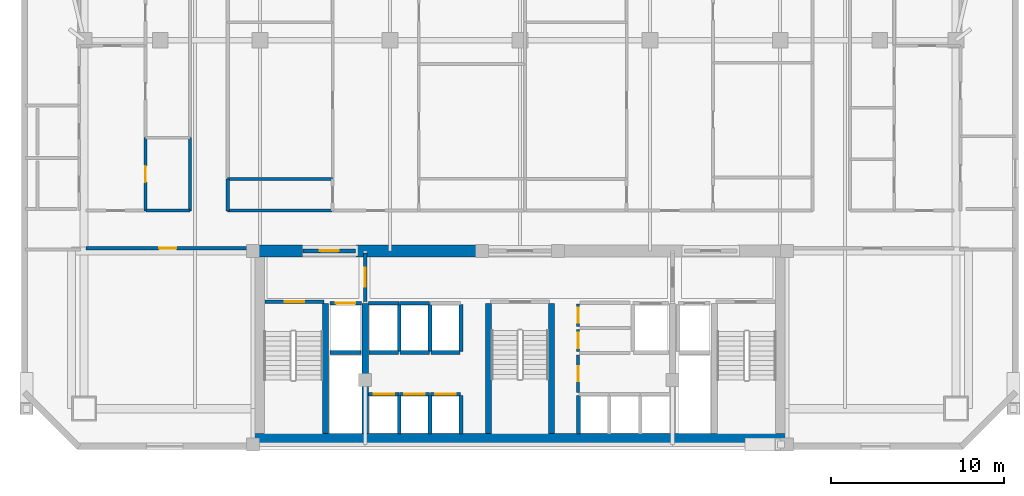
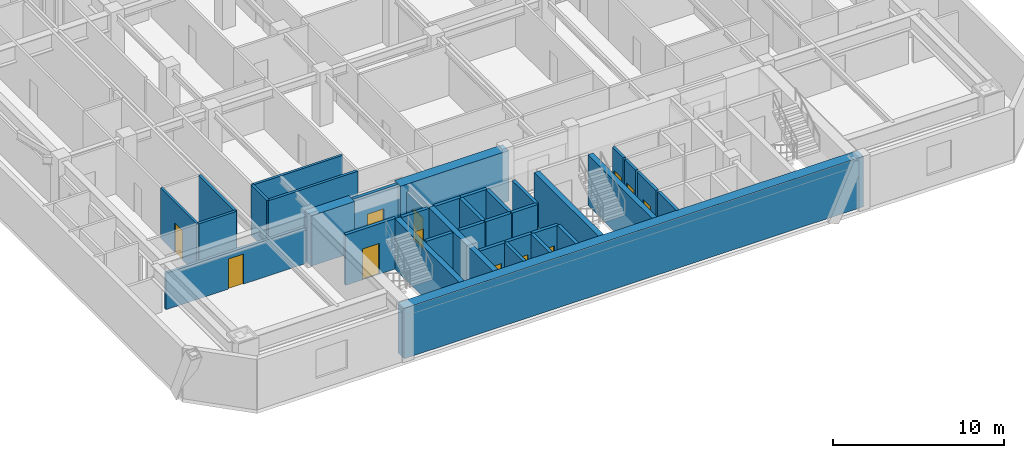
# One storey, part 3 of 10: 37 walls, 12 doors, 12 openings.
"""IFC4 building model written with IfcOpenShell, lengths in metres."""

from ifc_helpers import new_model, si_unit, direction, frame, frame_2d, origin, place, context, subcontext, project, spatial, rectangle, extrude, material, layer, layer_set, type_object, element, fill, save


model = new_model("IFC4")

# Units and contexts
model_context = context("Model", 3, precision=1e-05, world=origin(), true_north=direction((0.0, 1.0)))
body_context = subcontext(model_context, "Body", "Model", "MODEL_VIEW")
ifc_project = project(units=[si_unit("LENGTHUNIT", "METRE"), si_unit("AREAUNIT", "SQUARE_METRE"), si_unit("VOLUMEUNIT", "CUBIC_METRE"), si_unit("PLANEANGLEUNIT", "RADIAN"), si_unit("MASSUNIT", "GRAM", prefix="KILO")], contexts=[model_context])

# Site, building, storey
site_placement = place(None, origin())
site = spatial("IfcSite", under=ifc_project, at=site_placement, CompositionType="ELEMENT")
building_placement = place(site_placement, origin())
building = spatial("IfcBuilding", under=site, at=building_placement, Name="Ventersveld Concourse Tower", CompositionType="ELEMENT")
storey_placement = place(building_placement, frame((0.0, 0.0, 88.75)))
storey = spatial("IfcBuildingStorey", under=building, at=storey_placement, Name="L21", CompositionType="ELEMENT", Elevation=88.75)

# Walls
ifc_material_1 = material(Name="Concrete C60/75", Category="concrete")
ifc_layer_1 = layer(ifc_material_1, 0.35009765625)
ifc_layer_set_1 = layer_set([ifc_layer_1], Name="Concrete C60/75")
wall_type_1 = type_object("IfcWallType", Name="WL-CORE-350L", PredefinedType="SHEAR", material=ifc_layer_set_1)
for number, where, z_axis, x_axis, name in (
    (1, (17.5400390625, 0.919921875, 0.0), (0.0, 0.0, 1.0), (0.0, 1.0, 0.0), "L21 Core Internal Shear Web W-ST1-E"),
    (2, (19.820068359375, 0.919921875, 0.0), (0.0, 0.0, 1.0), (0.0, 1.0, 0.0), "L21 Core Internal Shear Web W-FF1-E"),
    (3, (26.93994140625, 0.919921875, 0.0), (0.0, 0.0, 1.0), (0.0, 1.0, 0.0), "L21 Core Internal Shear Web W-ST3-W"),
    (4, (30.56005859375, 0.919921875, 0.0), (0.0, 0.0, 1.0), (0.0, 1.0, 0.0), "L21 Core Internal Shear Web W-ST3-E"),
):
    element("IfcWall", number, at=place(storey_placement, frame(where, z_axis=z_axis, x_axis=x_axis)), inside=storey, type_object=wall_type_1, Name=name, PredefinedType="SHEAR", context=body_context, shape_type="SweptSolid", body=[
        extrude(rectangle(XDim=7.5, YDim=0.35009765625, at=frame_2d((3.75, 0.0))), origin(), (0.0, 0.0, 1.0), 3.60009765625),
    ])
ifc_layer_2 = layer(ifc_material_1, 0.699951171875)
ifc_layer_set_2 = layer_set([ifc_layer_2], Name="Concrete C60/75")
wall_type_2 = type_object("IfcWallType", Name="WL-CORE-700", PredefinedType="SHEAR", material=ifc_layer_set_2)
wall_1_placement = place(storey_placement, frame((13.25, 0.570068359375, 0.0), z_axis=(0.0, 0.0, 1.0), x_axis=(1.0, 0.0, 0.0)))
element("IfcWall", 5, at=wall_1_placement, inside=storey, type_object=wall_type_2, Name="L21 Rear Core South Shear Wall", PredefinedType="SHEAR", context=body_context, shape_type="SweptSolid", body=[
    extrude(rectangle(XDim=31.0, YDim=0.699951171875, at=frame_2d((15.5, 0.0))), origin(), (0.0, 0.0, 1.0), 3.60009765625),
])
wall_2_placement = place(storey_placement, frame((13.25, 11.449951171875, 0.0), z_axis=(0.0, 0.0, 1.0), x_axis=(1.0, 0.0, 0.0)))
element("IfcWall", 6, at=wall_2_placement, inside=storey, type_object=wall_type_2, Name="L21 Rear Core North Shear Wall NW", PredefinedType="SHEAR", context=body_context, shape_type="SweptSolid", body=[
    extrude(rectangle(XDim=2.949951171875, YDim=0.699951171875, at=frame_2d((1.47509765625, 0.0))), origin(), (0.0, 0.0, 1.0), 3.60009765625),
])
wall_3_placement = place(storey_placement, frame((19.300048828125, 11.449951171875, 0.0), z_axis=(0.0, 0.0, 1.0), x_axis=(1.0, 0.0, 0.0)))
element("IfcWall", 7, at=wall_3_placement, inside=storey, type_object=wall_type_2, Name="L21 Rear Core North Shear Wall NML", PredefinedType="SHEAR", context=body_context, shape_type="SweptSolid", body=[
    extrude(rectangle(XDim=7.300048828125, YDim=0.699951171875, at=frame_2d((3.64990234375, 0.0))), origin(), (0.0, 0.0, 1.0), 3.60009765625),
])

# Wall, opening, door
ifc_material_2 = material(Name="Fire-rated autoclaved aerated masonry blockwork", Category="masonry")
ifc_layer_3 = layer(ifc_material_2, 0.179931640625)
ifc_layer_set_3 = layer_set([ifc_layer_3], Name="Fire-rated autoclaved aerated masonry blockwork")
wall_type_3 = type_object("IfcWallType", Name="WL-CORR-180", PredefinedType="PARTITIONING", material=ifc_layer_set_3)
wall_4_placement = place(storey_placement, frame((32.10009765625, 5.64990234375, 0.0), z_axis=(0.0, 0.0, 1.0), x_axis=(0.0, 1.0, 0.0)))
wall_4 = element("IfcWall", 8, at=wall_4_placement, inside=storey, type_object=wall_type_3, Name="L21 Core Passage Wall SP-L21-CBAY1S", PredefinedType="PARTITIONING", context=body_context, shape_type="SweptSolid", body=[
    extrude(rectangle(XDim=1.27001953125, YDim=0.179931640625, at=frame_2d((0.635009765625, 0.0))), origin(), (0.0, 0.0, 1.0), 3.60009765625),
])
opening_1_placement = place(wall_4_placement, frame((0.195068359375, 0.0, 0.0)))
opening_1 = element("IfcOpeningElement", 9, at=opening_1_placement, cuts=wall_4, Name="Opening FD5", PredefinedType="OPENING", context=body_context, shape_type="SweptSolid", body=[
    extrude(rectangle(XDim=0.8798828125, YDim=2.050048828125, at=frame_2d((0.43994140625, 1.02490234375))), frame((0.0, 0.10009765625, 0.0), z_axis=(0.0, -1.0, 0.0), x_axis=(1.0, 0.0, 0.0)), (0.0, 0.0, 1.0), 0.199951171875),
])
ifc_material_3 = material(Name="Galvanised painted steel", Category="steel")
door_type_1 = type_object("IfcDoorType", Name="DR-RISER-088", OperationType="NOTDEFINED", PredefinedType="DOOR", material=ifc_material_3)
door_1_placement = place(opening_1_placement, origin())
door_1 = element("IfcDoor", 10, at=door_1_placement, inside=storey, type_object=door_type_1, Name="L21 Core Room Door L21 Core Cleaner Store (CD-L21-1005)", OperationType="SINGLE_SWING_RIGHT", OverallHeight=2.050048828125, OverallWidth=0.8798828125, PredefinedType="DOOR", context=body_context, shape_type="SweptSolid", body=[
    extrude(rectangle(XDim=0.8798828125, YDim=2.050048828125, at=frame_2d((0.43994140625, 1.02490234375))), frame((0.0, 0.02490234375, 0.0), z_axis=(0.0, -1.0, 0.0), x_axis=(1.0, 0.0, 0.0)), (0.0, 0.0, 1.0), 0.050048828125),
])
fill(opening_1, door_1)

wall_5_placement = place(storey_placement, frame((32.10009765625, 7.10009765625, 0.0), z_axis=(0.0, 0.0, 1.0), x_axis=(0.0, 1.0, 0.0)))
wall_5 = element("IfcWall", 11, at=wall_5_placement, inside=storey, type_object=wall_type_3, Name="L21 Core Passage Wall SP-L21-CBAY1N", PredefinedType="PARTITIONING", context=body_context, shape_type="SweptSolid", body=[
    extrude(rectangle(XDim=1.27978515625, YDim=0.179931640625, at=frame_2d((0.639892578125, 0.0))), origin(), (0.0, 0.0, 1.0), 3.60009765625),
])
opening_2_placement = place(wall_5_placement, frame((0.199951171875, 0.0, 0.0)))
opening_2 = element("IfcOpeningElement", 12, at=opening_2_placement, cuts=wall_5, Name="Opening FD5", PredefinedType="OPENING", context=body_context, shape_type="SweptSolid", body=[
    extrude(rectangle(XDim=0.8798828125, YDim=2.050048828125, at=frame_2d((0.43994140625, 1.02490234375))), frame((0.0, 0.10009765625, 0.0), z_axis=(0.0, -1.0, 0.0), x_axis=(1.0, 0.0, 0.0)), (0.0, 0.0, 1.0), 0.199951171875),
])
door_2_placement = place(opening_2_placement, origin())
door_2 = element("IfcDoor", 13, at=door_2_placement, inside=storey, type_object=door_type_1, Name="L21 Core Room Door L21 Core Concierge Desk Room (CD-L21-1006)", OperationType="SINGLE_SWING_LEFT", OverallHeight=2.050048828125, OverallWidth=0.8798828125, PredefinedType="DOOR", context=body_context, shape_type="SweptSolid", body=[
    extrude(rectangle(XDim=0.8798828125, YDim=2.050048828125, at=frame_2d((0.43994140625, 1.02490234375))), frame((0.0, 0.02490234375, 0.0), z_axis=(0.0, -1.0, 0.0), x_axis=(1.0, 0.0, 0.0)), (0.0, 0.0, 1.0), 0.050048828125),
])
fill(opening_2, door_2)

wall_6_placement = place(storey_placement, frame((32.10009765625, 3.280029296875, 0.0), z_axis=(0.0, 0.0, 1.0), x_axis=(0.0, 1.0, 0.0)))
wall_6 = element("IfcWall", 14, at=wall_6_placement, inside=storey, type_object=wall_type_3, Name="L21 Core Passage Wall SP-L21-CBAY2", PredefinedType="PARTITIONING", context=body_context, shape_type="SweptSolid", body=[
    extrude(rectangle(XDim=2.169921875, YDim=0.179931640625, at=frame_2d((1.0849609375, 0.0))), origin(), (0.0, 0.0, 1.0), 3.60009765625),
])
opening_3_placement = place(wall_6_placement, frame((0.64501953125, 0.0, 0.0)))
opening_3 = element("IfcOpeningElement", 15, at=opening_3_placement, cuts=wall_6, Name="Opening FD5", PredefinedType="OPENING", context=body_context, shape_type="SweptSolid", body=[
    extrude(rectangle(XDim=0.8798828125, YDim=2.050048828125, at=frame_2d((0.43994140625, 1.02490234375))), frame((0.0, 0.10009765625, 0.0), z_axis=(0.0, -1.0, 0.0), x_axis=(1.0, 0.0, 0.0)), (0.0, 0.0, 1.0), 0.199951171875),
])
door_3_placement = place(opening_3_placement, origin())
door_3 = element("IfcDoor", 16, at=door_3_placement, inside=storey, type_object=door_type_1, Name="L21 Core Room Door L21 Core Linen Alcove Store (CD-L21-1007)", OperationType="SINGLE_SWING_RIGHT", OverallHeight=2.050048828125, OverallWidth=0.8798828125, PredefinedType="DOOR", context=body_context, shape_type="SweptSolid", body=[
    extrude(rectangle(XDim=0.8798828125, YDim=2.050048828125, at=frame_2d((0.43994140625, 1.02490234375))), frame((0.0, 0.02490234375, 0.0), z_axis=(0.0, -1.0, 0.0), x_axis=(1.0, 0.0, 0.0)), (0.0, 0.0, 1.0), 0.050048828125),
])
fill(opening_3, door_3)

wall_7_placement = place(storey_placement, frame((3.705078125, 11.60009765625, 0.0), z_axis=(0.0, 0.0, 1.0), x_axis=(1.0, 0.0, 0.0)))
wall_7 = element("IfcWall", 17, at=wall_7_placement, inside=storey, type_object=wall_type_3, Name="L21 Interior Partition SP-L21-SW-GAL-SP-L21-COR", PredefinedType="PARTITIONING", context=body_context, shape_type="SweptSolid", body=[
    extrude(rectangle(XDim=9.43994140625, YDim=0.179931640625, at=frame_2d((4.719970703125, 0.0))), origin(), (0.0, 0.0, 1.0), 2.60009765625),
])
opening_4_placement = place(wall_7_placement, frame((4.219970703125, 0.0, 0.0)))
opening_4 = element("IfcOpeningElement", 18, at=opening_4_placement, cuts=wall_7, Name="Opening FD3", PredefinedType="OPENING", context=body_context, shape_type="SweptSolid", body=[
    extrude(rectangle(XDim=1.0, YDim=2.14990234375, at=frame_2d((0.5, 1.074951171875))), frame((0.0, 0.10009765625, 0.0), z_axis=(0.0, -1.0, 0.0), x_axis=(1.0, 0.0, 0.0)), (0.0, 0.0, 1.0), 0.199951171875),
])
ifc_material_4 = material(Name="Solid-core hardwood veneer timber", Category="wood")
door_type_2 = type_object("IfcDoorType", Name="DR-FLAT-100", OperationType="NOTDEFINED", PredefinedType="DOOR", material=ifc_material_4)
door_4_placement = place(opening_4_placement, origin())
door_4 = element("IfcDoor", 19, at=door_4_placement, inside=storey, type_object=door_type_2, Name="L21 Interior Door SP-L21-SW-GAL to SP-L21-COR (D-L21-1008)", OperationType="SINGLE_SWING_RIGHT", OverallHeight=2.14990234375, OverallWidth=1.0, PredefinedType="DOOR", context=body_context, shape_type="SweptSolid", body=[
    extrude(rectangle(XDim=1.0, YDim=2.14990234375, at=frame_2d((0.5, 1.074951171875))), frame((0.0, 0.02490234375, 0.0), z_axis=(0.0, -1.0, 0.0), x_axis=(1.0, 0.0, 0.0)), (0.0, 0.0, 1.0), 0.050048828125),
])
fill(opening_4, door_4)

# Walls
wall_8_placement = place(storey_placement, frame((9.7099609375, 13.764892578125, 0.0), z_axis=(0.0, 0.0, 1.0), x_axis=(0.0, 1.0, 0.0)))
element("IfcWall", 20, at=wall_8_placement, inside=storey, type_object=wall_type_3, Name="L21 Interior Partition SP-L21-COR-SP-L21-21NW-KIT", PredefinedType="PARTITIONING", context=body_context, shape_type="SweptSolid", body=[
    extrude(rectangle(XDim=4.21484375, YDim=0.179931640625, at=frame_2d((2.107421875, 0.0))), origin(), (0.0, 0.0, 1.0), 3.60009765625),
])
wall_9_placement = place(storey_placement, frame((7.1796875, 13.77001953125, 0.0), z_axis=(0.0, 0.0, 1.0), x_axis=(1.0, 0.0, 0.0)))
element("IfcWall", 21, at=wall_9_placement, inside=storey, type_object=wall_type_3, Name="L21 Interior Partition SP-L21-COR-SP-L21-21NW-KIT", PredefinedType="PARTITIONING", context=body_context, shape_type="SweptSolid", body=[
    extrude(rectangle(XDim=2.535400390625, YDim=0.179931640625, at=frame_2d((1.267578125, 0.0))), origin(), (0.0, 0.0, 1.0), 3.60009765625),
])
wall_10_placement = place(storey_placement, frame((11.885009765625, 13.77001953125, 0.0), z_axis=(0.0, 0.0, 1.0), x_axis=(1.0, 0.0, 0.0)))
element("IfcWall", 22, at=wall_10_placement, inside=storey, type_object=wall_type_3, Name="L21 Interior Partition SP-L21-COR-SP-L21-21N1-BATH", PredefinedType="PARTITIONING", context=body_context, shape_type="SweptSolid", body=[
    extrude(rectangle(XDim=6.018310546875, YDim=0.179931640625, at=frame_2d((3.00927734375, 0.0))), origin(), (0.0, 0.0, 1.0), 3.60009765625),
])
wall_11_placement = place(storey_placement, frame((11.889892578125, 13.764892578125, 0.0), z_axis=(0.0, 0.0, 1.0), x_axis=(0.0, 1.0, 0.0)))
element("IfcWall", 23, at=wall_11_placement, inside=storey, type_object=wall_type_3, Name="L21 Interior Partition SP-L21-COR-SP-L21-21N1-BATH", PredefinedType="PARTITIONING", context=body_context, shape_type="SweptSolid", body=[
    extrude(rectangle(XDim=1.840087890625, YDim=0.179931640625, at=frame_2d((0.919921875, 0.0))), origin(), (0.0, 0.0, 1.0), 3.60009765625),
])
ifc_layer_4 = layer(ifc_material_2, 0.219970703125)
ifc_layer_set_4 = layer_set([ifc_layer_4], Name="Fire-rated autoclaved aerated masonry blockwork")
wall_type_4 = type_object("IfcWallType", Name="WL-HOIST-220", PredefinedType="SOLIDWALL", material=ifc_layer_set_4)
wall_12_placement = place(storey_placement, frame((17.800048828125, 5.590087890625, 0.0), z_axis=(0.0, 0.0, 1.0), x_axis=(1.0, 0.0, 0.0)))
element("IfcWall", 24, at=wall_12_placement, inside=storey, type_object=wall_type_4, Name="L21 Lift Hoistway Back Wall FFL-01", PredefinedType="SOLIDWALL", context=body_context, shape_type="SweptSolid", body=[
    extrude(rectangle(XDim=1.780029296875, YDim=0.219970703125, at=frame_2d((0.89013671875, 0.0))), origin(), (0.0, 0.0, 1.0), 3.60009765625),
])

# Wall, opening, door
wall_13_placement = place(storey_placement, frame((17.780029296875, 8.429931640625, 0.0), z_axis=(0.0, 0.0, 1.0), x_axis=(1.0, 0.0, 0.0)))
wall_13 = element("IfcWall", 25, at=wall_13_placement, inside=storey, type_object=wall_type_4, Name="L21 Lift Hoistway Front Wall FFL-01", PredefinedType="SOLIDWALL", context=body_context, shape_type="SweptSolid", body=[
    extrude(rectangle(XDim=1.820068359375, YDim=0.219970703125, at=frame_2d((0.91015625, 0.0))), origin(), (0.0, 0.0, 1.0), 3.60009765625),
])
opening_5_placement = place(wall_13_placement, frame((0.35009765625, 0.0, 0.0)))
opening_5 = element("IfcOpeningElement", 26, at=opening_5_placement, cuts=wall_13, Name="Opening LD1", PredefinedType="OPENING", context=body_context, shape_type="SweptSolid", body=[
    extrude(rectangle(XDim=1.1201171875, YDim=2.25, at=frame_2d((0.56005859375, 1.125))), frame((0.0, 0.1201171875, 0.0), z_axis=(0.0, -1.0, 0.0), x_axis=(1.0, 0.0, 0.0)), (0.0, 0.0, 1.0), 0.239990234375),
])
ifc_material_5 = material(Name="Brushed stainless steel 316", Category="steel")
door_type_3 = type_object("IfcDoorType", Name="LD-FF-112", OperationType="SLIDING_TO_LEFT", PredefinedType="DOOR", material=ifc_material_5)
door_5_placement = place(opening_5_placement, origin())
door_5 = element("IfcDoor", 27, at=door_5_placement, inside=storey, type_object=door_type_3, Name="L21 Lift landing door FFL-01 (LD-L21-FFL-01)", OperationType="SLIDING_TO_LEFT", OverallHeight=2.25, OverallWidth=1.1201171875, PredefinedType="DOOR", context=body_context, shape_type="SweptSolid", body=[
    extrude(rectangle(XDim=1.1201171875, YDim=2.25, at=frame_2d((0.56005859375, 1.125))), frame((0.0, 0.02490234375, 0.0), z_axis=(0.0, -1.0, 0.0), x_axis=(1.0, 0.0, 0.0)), (0.0, 0.0, 1.0), 0.050048828125),
])
fill(opening_5, door_5)

# Wall
wall_14_placement = place(storey_placement, frame((21.780029296875, 0.89990234375, 0.0), z_axis=(0.0, 0.0, 1.0), x_axis=(0.0, 1.0, 0.0)))
element("IfcWall", 28, at=wall_14_placement, inside=storey, type_object=wall_type_4, Name="L21 Lift Hoistway Side Wall PL-01E", PredefinedType="SOLIDWALL", context=body_context, shape_type="SweptSolid", body=[
    extrude(rectangle(XDim=2.2001953125, YDim=0.219970703125, at=frame_2d((1.10009765625, 0.0))), origin(), (0.0, 0.0, 1.0), 3.60009765625),
])

# Wall, opening, door
wall_15_placement = place(storey_placement, frame((20.02001953125, 3.179931640625, 0.0), z_axis=(0.0, 0.0, 1.0), x_axis=(1.0, 0.0, 0.0)))
wall_15 = element("IfcWall", 29, at=wall_15_placement, inside=storey, type_object=wall_type_4, Name="L21 Lift Hoistway Front Wall PL-01", PredefinedType="SOLIDWALL", context=body_context, shape_type="SweptSolid", body=[
    extrude(rectangle(XDim=1.739990234375, YDim=0.219970703125, at=frame_2d((0.8701171875, 0.0))), origin(), (0.0, 0.0, 1.0), 3.60009765625),
])
opening_6_placement = place(wall_15_placement, frame((0.280029296875, 0.0, 0.0)))
opening_6 = element("IfcOpeningElement", 30, at=opening_6_placement, cuts=wall_15, Name="Opening LD2", PredefinedType="OPENING", context=body_context, shape_type="SweptSolid", body=[
    extrude(rectangle(XDim=1.179931640625, YDim=2.199951171875, at=frame_2d((0.58984375, 1.10009765625))), frame((0.0, 0.1201171875, 0.0), z_axis=(0.0, -1.0, 0.0), x_axis=(1.0, 0.0, 0.0)), (0.0, 0.0, 1.0), 0.239990234375),
])
door_type_4 = type_object("IfcDoorType", Name="LD-PAX-118", OperationType="SLIDING_TO_LEFT", PredefinedType="DOOR", material=ifc_material_5)
door_6_placement = place(opening_6_placement, origin())
door_6 = element("IfcDoor", 31, at=door_6_placement, inside=storey, type_object=door_type_4, Name="L21 Lift landing door PL-01 (LD-L21-PL-01)", OperationType="SLIDING_TO_RIGHT", OverallHeight=2.199951171875, OverallWidth=1.179931640625, PredefinedType="DOOR", context=body_context, shape_type="SweptSolid", body=[
    extrude(rectangle(XDim=1.179931640625, YDim=2.199951171875, at=frame_2d((0.58984375, 1.10009765625))), frame((0.0, 0.02490234375, 0.0), z_axis=(0.0, -1.0, 0.0), x_axis=(1.0, 0.0, 0.0)), (0.0, 0.0, 1.0), 0.050048828125),
])
fill(opening_6, door_6)

# Wall
wall_16_placement = place(storey_placement, frame((23.56005859375, 0.89990234375, 0.0), z_axis=(0.0, 0.0, 1.0), x_axis=(0.0, 1.0, 0.0)))
element("IfcWall", 32, at=wall_16_placement, inside=storey, type_object=wall_type_4, Name="L21 Lift Hoistway Side Wall PL-02E", PredefinedType="SOLIDWALL", context=body_context, shape_type="SweptSolid", body=[
    extrude(rectangle(XDim=2.2001953125, YDim=0.219970703125, at=frame_2d((1.10009765625, 0.0))), origin(), (0.0, 0.0, 1.0), 3.60009765625),
])

# Wall, opening, door
wall_17_placement = place(storey_placement, frame((21.800048828125, 3.179931640625, 0.0), z_axis=(0.0, 0.0, 1.0), x_axis=(1.0, 0.0, 0.0)))
wall_17 = element("IfcWall", 33, at=wall_17_placement, inside=storey, type_object=wall_type_4, Name="L21 Lift Hoistway Front Wall PL-02", PredefinedType="SOLIDWALL", context=body_context, shape_type="SweptSolid", body=[
    extrude(rectangle(XDim=1.739990234375, YDim=0.219970703125, at=frame_2d((0.8701171875, 0.0))), origin(), (0.0, 0.0, 1.0), 3.60009765625),
])
opening_7_placement = place(wall_17_placement, frame((0.280029296875, 0.0, 0.0)))
opening_7 = element("IfcOpeningElement", 34, at=opening_7_placement, cuts=wall_17, Name="Opening LD2", PredefinedType="OPENING", context=body_context, shape_type="SweptSolid", body=[
    extrude(rectangle(XDim=1.179931640625, YDim=2.199951171875, at=frame_2d((0.58984375, 1.10009765625))), frame((0.0, 0.1201171875, 0.0), z_axis=(0.0, -1.0, 0.0), x_axis=(1.0, 0.0, 0.0)), (0.0, 0.0, 1.0), 0.239990234375),
])
door_7_placement = place(opening_7_placement, origin())
door_7 = element("IfcDoor", 35, at=door_7_placement, inside=storey, type_object=door_type_4, Name="L21 Lift landing door PL-02 (LD-L21-PL-02)", OperationType="SLIDING_TO_LEFT", OverallHeight=2.199951171875, OverallWidth=1.179931640625, PredefinedType="DOOR", context=body_context, shape_type="SweptSolid", body=[
    extrude(rectangle(XDim=1.179931640625, YDim=2.199951171875, at=frame_2d((0.58984375, 1.10009765625))), frame((0.0, 0.02490234375, 0.0), z_axis=(0.0, -1.0, 0.0), x_axis=(1.0, 0.0, 0.0)), (0.0, 0.0, 1.0), 0.050048828125),
])
fill(opening_7, door_7)

# Wall
wall_18_placement = place(storey_placement, frame((25.340087890625, 0.89990234375, 0.0), z_axis=(0.0, 0.0, 1.0), x_axis=(0.0, 1.0, 0.0)))
element("IfcWall", 36, at=wall_18_placement, inside=storey, type_object=wall_type_4, Name="L21 Lift Hoistway Side Wall PL-03E", PredefinedType="SOLIDWALL", context=body_context, shape_type="SweptSolid", body=[
    extrude(rectangle(XDim=2.2001953125, YDim=0.219970703125, at=frame_2d((1.10009765625, 0.0))), origin(), (0.0, 0.0, 1.0), 3.60009765625),
])

# Wall, opening, door
wall_19_placement = place(storey_placement, frame((23.580078125, 3.179931640625, 0.0), z_axis=(0.0, 0.0, 1.0), x_axis=(1.0, 0.0, 0.0)))
wall_19 = element("IfcWall", 37, at=wall_19_placement, inside=storey, type_object=wall_type_4, Name="L21 Lift Hoistway Front Wall PL-03", PredefinedType="SOLIDWALL", context=body_context, shape_type="SweptSolid", body=[
    extrude(rectangle(XDim=1.739990234375, YDim=0.219970703125, at=frame_2d((0.8701171875, 0.0))), origin(), (0.0, 0.0, 1.0), 3.60009765625),
])
opening_8_placement = place(wall_19_placement, frame((0.280029296875, 0.0, 0.0)))
opening_8 = element("IfcOpeningElement", 38, at=opening_8_placement, cuts=wall_19, Name="Opening LD2", PredefinedType="OPENING", context=body_context, shape_type="SweptSolid", body=[
    extrude(rectangle(XDim=1.179931640625, YDim=2.199951171875, at=frame_2d((0.58984375, 1.10009765625))), frame((0.0, 0.1201171875, 0.0), z_axis=(0.0, -1.0, 0.0), x_axis=(1.0, 0.0, 0.0)), (0.0, 0.0, 1.0), 0.239990234375),
])
door_8_placement = place(opening_8_placement, origin())
door_8 = element("IfcDoor", 39, at=door_8_placement, inside=storey, type_object=door_type_4, Name="L21 Lift landing door PL-03 (LD-L21-PL-03)", OperationType="SLIDING_TO_RIGHT", OverallHeight=2.199951171875, OverallWidth=1.179931640625, PredefinedType="DOOR", context=body_context, shape_type="SweptSolid", body=[
    extrude(rectangle(XDim=1.179931640625, YDim=2.199951171875, at=frame_2d((0.58984375, 1.10009765625))), frame((0.0, 0.02490234375, 0.0), z_axis=(0.0, -1.0, 0.0), x_axis=(1.0, 0.0, 0.0)), (0.0, 0.0, 1.0), 0.050048828125),
])
fill(opening_8, door_8)

# Walls
wall_20_placement = place(storey_placement, frame((32.1201171875, 0.89990234375, 0.0), z_axis=(0.0, 0.0, 1.0), x_axis=(0.0, 1.0, 0.0)))
element("IfcWall", 40, at=wall_20_placement, inside=storey, type_object=wall_type_4, Name="L21 Lift Hoistway Side Wall PM-01W", PredefinedType="SOLIDWALL", context=body_context, shape_type="SweptSolid", body=[
    extrude(rectangle(XDim=2.2001953125, YDim=0.219970703125, at=frame_2d((1.10009765625, 0.0))), origin(), (0.0, 0.0, 1.0), 3.60009765625),
])
wall_21_placement = place(storey_placement, frame((20.0400390625, 5.590087890625, 0.0), z_axis=(0.0, 0.0, 1.0), x_axis=(1.0, 0.0, 0.0)))
element("IfcWall", 41, at=wall_21_placement, inside=storey, type_object=wall_type_4, Name="L21 Lift Hoistway Back Wall PH-01", PredefinedType="SOLIDWALL", context=body_context, shape_type="SweptSolid", body=[
    extrude(rectangle(XDim=1.699951171875, YDim=0.219970703125, at=frame_2d((0.85009765625, 0.0))), origin(), (0.0, 0.0, 1.0), 3.60009765625),
])
wall_22_placement = place(storey_placement, frame((21.780029296875, 5.64990234375, 0.0), z_axis=(0.0, 0.0, 1.0), x_axis=(0.0, 1.0, 0.0)))
element("IfcWall", 42, at=wall_22_placement, inside=storey, type_object=wall_type_4, Name="L21 Lift Hoistway Side Wall PH-01E", PredefinedType="SOLIDWALL", context=body_context, shape_type="SweptSolid", body=[
    extrude(rectangle(XDim=2.7001953125, YDim=0.219970703125, at=frame_2d((1.35009765625, 0.0))), origin(), (0.0, 0.0, 1.0), 3.60009765625),
])
wall_23_placement = place(storey_placement, frame((20.02001953125, 8.429931640625, 0.0), z_axis=(0.0, 0.0, 1.0), x_axis=(1.0, 0.0, 0.0)))
element("IfcWall", 43, at=wall_23_placement, inside=storey, type_object=wall_type_4, Name="L21 Lift Hoistway Front Wall PH-01", PredefinedType="SOLIDWALL", context=body_context, shape_type="SweptSolid", body=[
    extrude(rectangle(XDim=1.739990234375, YDim=0.219970703125, at=frame_2d((0.8701171875, 0.0))), origin(), (0.0, 0.0, 1.0), 3.60009765625),
])
wall_24_placement = place(storey_placement, frame((21.820068359375, 5.590087890625, 0.0), z_axis=(0.0, 0.0, 1.0), x_axis=(1.0, 0.0, 0.0)))
element("IfcWall", 44, at=wall_24_placement, inside=storey, type_object=wall_type_4, Name="L21 Lift Hoistway Back Wall PH-02", PredefinedType="SOLIDWALL", context=body_context, shape_type="SweptSolid", body=[
    extrude(rectangle(XDim=1.699951171875, YDim=0.219970703125, at=frame_2d((0.85009765625, 0.0))), origin(), (0.0, 0.0, 1.0), 3.60009765625),
])
wall_25_placement = place(storey_placement, frame((23.56005859375, 5.64990234375, 0.0), z_axis=(0.0, 0.0, 1.0), x_axis=(0.0, 1.0, 0.0)))
element("IfcWall", 45, at=wall_25_placement, inside=storey, type_object=wall_type_4, Name="L21 Lift Hoistway Side Wall PH-02E", PredefinedType="SOLIDWALL", context=body_context, shape_type="SweptSolid", body=[
    extrude(rectangle(XDim=2.7001953125, YDim=0.219970703125, at=frame_2d((1.35009765625, 0.0))), origin(), (0.0, 0.0, 1.0), 3.60009765625),
])
wall_26_placement = place(storey_placement, frame((21.800048828125, 8.429931640625, 0.0), z_axis=(0.0, 0.0, 1.0), x_axis=(1.0, 0.0, 0.0)))
element("IfcWall", 46, at=wall_26_placement, inside=storey, type_object=wall_type_4, Name="L21 Lift Hoistway Front Wall PH-02", PredefinedType="SOLIDWALL", context=body_context, shape_type="SweptSolid", body=[
    extrude(rectangle(XDim=1.739990234375, YDim=0.219970703125, at=frame_2d((0.8701171875, 0.0))), origin(), (0.0, 0.0, 1.0), 3.60009765625),
])
wall_27_placement = place(storey_placement, frame((23.60009765625, 5.590087890625, 0.0), z_axis=(0.0, 0.0, 1.0), x_axis=(1.0, 0.0, 0.0)))
element("IfcWall", 47, at=wall_27_placement, inside=storey, type_object=wall_type_4, Name="L21 Lift Hoistway Back Wall PH-03", PredefinedType="SOLIDWALL", context=body_context, shape_type="SweptSolid", body=[
    extrude(rectangle(XDim=1.699951171875, YDim=0.219970703125, at=frame_2d((0.85009765625, 0.0))), origin(), (0.0, 0.0, 1.0), 3.60009765625),
])
wall_28_placement = place(storey_placement, frame((25.340087890625, 5.64990234375, 0.0), z_axis=(0.0, 0.0, 1.0), x_axis=(0.0, 1.0, 0.0)))
element("IfcWall", 48, at=wall_28_placement, inside=storey, type_object=wall_type_4, Name="L21 Lift Hoistway Side Wall PH-03E", PredefinedType="SOLIDWALL", context=body_context, shape_type="SweptSolid", body=[
    extrude(rectangle(XDim=2.7001953125, YDim=0.219970703125, at=frame_2d((1.35009765625, 0.0))), origin(), (0.0, 0.0, 1.0), 3.60009765625),
])

# Wall, opening, door
wall_29_placement = place(storey_placement, frame((14.0400390625, 8.52001953125, 0.0), z_axis=(0.0, 0.0, 1.0), x_axis=(1.0, 0.0, 0.0)))
wall_29 = element("IfcWall", 49, at=wall_29_placement, inside=storey, type_object=wall_type_4, Name="L21 Escape Stair ST01 Fire Wall", PredefinedType="SOLIDWALL", context=body_context, shape_type="SweptSolid", body=[
    extrude(rectangle(XDim=3.39990234375, YDim=0.219970703125, at=frame_2d((1.699951171875, 0.0))), origin(), (0.0, 0.0, 1.0), 3.60009765625),
])
opening_9_placement = place(wall_29_placement, frame((1.125, 0.0, 0.0)))
opening_9 = element("IfcOpeningElement", 50, at=opening_9_placement, cuts=wall_29, Name="Opening FD1", PredefinedType="OPENING", context=body_context, shape_type="SweptSolid", body=[
    extrude(rectangle(XDim=1.14990234375, YDim=2.199951171875, at=frame_2d((0.574951171875, 1.10009765625))), frame((0.0, 0.1201171875, 0.0), z_axis=(0.0, -1.0, 0.0), x_axis=(1.0, 0.0, 0.0)), (0.0, 0.0, 1.0), 0.239990234375),
])
door_type_5 = type_object("IfcDoorType", Name="DR-STAIR-115", OperationType="NOTDEFINED", PredefinedType="DOOR", material=ifc_material_3)
door_9_placement = place(opening_9_placement, origin())
door_9 = element("IfcDoor", 51, at=door_9_placement, inside=storey, type_object=door_type_5, Name="L21 Escape Stair Door ST01 (SD-L21-0997)", OperationType="SINGLE_SWING_LEFT", OverallHeight=2.199951171875, OverallWidth=1.14990234375, PredefinedType="DOOR", context=body_context, shape_type="SweptSolid", body=[
    extrude(rectangle(XDim=1.14990234375, YDim=2.199951171875, at=frame_2d((0.574951171875, 1.10009765625))), frame((0.0, 0.02490234375, 0.0), z_axis=(0.0, -1.0, 0.0), x_axis=(1.0, 0.0, 0.0)), (0.0, 0.0, 1.0), 0.050048828125),
])
fill(opening_9, door_9)

wall_30_placement = place(storey_placement, frame((19.820068359375, 8.52001953125, 0.0), z_axis=(0.0, 0.0, 1.0), x_axis=(0.0, 1.0, 0.0)))
wall_30 = element("IfcWall", 52, at=wall_30_placement, inside=storey, type_object=wall_type_4, Name="L21 Firefighting Lobby Smoke-Stop Wall FFLW-SEP", PredefinedType="SOLIDWALL", context=body_context, shape_type="SweptSolid", body=[
    extrude(rectangle(XDim=2.800048828125, YDim=0.219970703125, at=frame_2d((1.39990234375, 0.0))), origin(), (0.0, 0.0, 1.0), 3.055419921875),
])
opening_10_placement = place(wall_30_placement, frame((0.85009765625, 0.0, 0.0)))
opening_10 = element("IfcOpeningElement", 53, at=opening_10_placement, cuts=wall_30, Name="Opening FD2", PredefinedType="OPENING", context=body_context, shape_type="SweptSolid", body=[
    extrude(rectangle(XDim=1.10009765625, YDim=2.199951171875, at=frame_2d((0.550048828125, 1.10009765625))), frame((0.0, 0.1201171875, 0.0), z_axis=(0.0, -1.0, 0.0), x_axis=(1.0, 0.0, 0.0)), (0.0, 0.0, 1.0), 0.239990234375),
])
door_type_6 = type_object("IfcDoorType", Name="DR-FFL-110", OperationType="NOTDEFINED", PredefinedType="DOOR", material=ifc_material_3)
door_10_placement = place(opening_10_placement, origin())
door_10 = element("IfcDoor", 54, at=door_10_placement, inside=storey, type_object=door_type_6, Name="L21 Firefighting Lobby Door FFLW-SEP (FD-L21-1000)", OperationType="SINGLE_SWING_LEFT", OverallHeight=2.199951171875, OverallWidth=1.10009765625, PredefinedType="DOOR", context=body_context, shape_type="SweptSolid", body=[
    extrude(rectangle(XDim=1.10009765625, YDim=2.199951171875, at=frame_2d((0.550048828125, 1.10009765625))), frame((0.0, 0.02490234375, 0.0), z_axis=(0.0, -1.0, 0.0), x_axis=(1.0, 0.0, 0.0)), (0.0, 0.0, 1.0), 0.050048828125),
])
fill(opening_10, door_10)

wall_31_placement = place(storey_placement, frame((16.22998046875, 11.449951171875, 0.0), z_axis=(0.0, 0.0, 1.0), x_axis=(1.0, 0.0, 0.0)))
wall_31 = element("IfcWall", 55, at=wall_31_placement, inside=storey, type_object=wall_type_4, Name="L21 Core North Fire Portal FFLW-OUT", PredefinedType="SOLIDWALL", context=body_context, shape_type="SweptSolid", body=[
    extrude(rectangle(XDim=3.0400390625, YDim=0.219970703125, at=frame_2d((1.52001953125, 0.0))), origin(), (0.0, 0.0, 1.0), 3.60009765625),
])
opening_11_placement = place(wall_31_placement, frame((0.969970703125, 0.0, 0.0)))
opening_11 = element("IfcOpeningElement", 56, at=opening_11_placement, cuts=wall_31, Name="Opening FD2", PredefinedType="OPENING", context=body_context, shape_type="SweptSolid", body=[
    extrude(rectangle(XDim=1.10009765625, YDim=2.199951171875, at=frame_2d((0.550048828125, 1.10009765625))), frame((0.0, 0.1201171875, 0.0), z_axis=(0.0, -1.0, 0.0), x_axis=(1.0, 0.0, 0.0)), (0.0, 0.0, 1.0), 0.239990234375),
])
door_11_placement = place(opening_11_placement, origin())
door_11 = element("IfcDoor", 57, at=door_11_placement, inside=storey, type_object=door_type_6, Name="L21 Core Lobby Fire Door FFLW-OUT (FD-L21-1002)", OperationType="SINGLE_SWING_RIGHT", OverallHeight=2.199951171875, OverallWidth=1.10009765625, PredefinedType="DOOR", context=body_context, shape_type="SweptSolid", body=[
    extrude(rectangle(XDim=1.10009765625, YDim=2.199951171875, at=frame_2d((0.550048828125, 1.10009765625))), frame((0.0, 0.02490234375, 0.0), z_axis=(0.0, -1.0, 0.0), x_axis=(1.0, 0.0, 0.0)), (0.0, 0.0, 1.0), 0.050048828125),
])
fill(opening_11, door_11)

ifc_material_6 = material(Name="Autoclaved aerated masonry blockwork", Category="masonry")
ifc_layer_5 = layer(ifc_material_6, 0.14990234375)
ifc_layer_set_5 = layer_set([ifc_layer_5], Name="Autoclaved aerated masonry blockwork")
wall_type_5 = type_object("IfcWallType", Name="WL-INT-150", PredefinedType="PARTITIONING", material=ifc_layer_set_5)
wall_32_placement = place(storey_placement, frame((7.144775390625, 13.764892578125, 0.0), z_axis=(0.0, 0.0, 1.0), x_axis=(0.0, 1.0, 0.0)))
wall_32 = element("IfcWall", 58, at=wall_32_placement, inside=storey, type_object=wall_type_5, Name="L21 Interior Partition SP-L21-21NW-FOY-SP-L21-21NW-KIT", PredefinedType="PARTITIONING", context=body_context, shape_type="SweptSolid", body=[
    extrude(rectangle(XDim=4.21484375, YDim=0.14990234375, at=frame_2d((2.107421875, 0.0))), origin(), (0.0, 0.0, 1.0), 3.60009765625),
])
opening_12_placement = place(wall_32_placement, frame((1.6474609375, 0.0, 0.0)))
opening_12 = element("IfcOpeningElement", 59, at=opening_12_placement, cuts=wall_32, Name="Opening ID1", PredefinedType="OPENING", context=body_context, shape_type="SweptSolid", body=[
    extrude(rectangle(XDim=0.919921875, YDim=2.10009765625, at=frame_2d((0.4599609375, 1.050048828125))), frame((0.0, 0.0849609375, 0.0), z_axis=(0.0, -1.0, 0.0), x_axis=(1.0, 0.0, 0.0)), (0.0, 0.0, 1.0), 0.169921875),
])
door_type_7 = type_object("IfcDoorType", Name="DR-ROOM-092", OperationType="NOTDEFINED", PredefinedType="DOOR", material=ifc_material_4)
door_12_placement = place(opening_12_placement, origin())
door_12 = element("IfcDoor", 60, at=door_12_placement, inside=storey, type_object=door_type_7, Name="L21 Interior Door SP-L21-21NW-FOY to SP-L21-21NW-KIT (D-L21-1018)", OperationType="SINGLE_SWING_RIGHT", OverallHeight=2.10009765625, OverallWidth=0.919921875, PredefinedType="DOOR", context=body_context, shape_type="SweptSolid", body=[
    extrude(rectangle(XDim=0.919921875, YDim=2.10009765625, at=frame_2d((0.4599609375, 1.050048828125))), frame((0.0, 0.02490234375, 0.0), z_axis=(0.0, -1.0, 0.0), x_axis=(1.0, 0.0, 0.0)), (0.0, 0.0, 1.0), 0.050048828125),
])
fill(opening_12, door_12)

# Wall
ifc_layer_6 = layer(ifc_material_6, 0.1650390625)
ifc_layer_set_6 = layer_set([ifc_layer_6], Name="Autoclaved aerated masonry blockwork")
wall_type_6 = type_object("IfcWallType", Name="WL-WET-165", PredefinedType="PLUMBINGWALL", material=ifc_layer_set_6)
wall_33_placement = place(storey_placement, frame((11.885009765625, 15.60009765625, 0.0), z_axis=(0.0, 0.0, 1.0), x_axis=(1.0, 0.0, 0.0)))
element("IfcWall", 61, at=wall_33_placement, inside=storey, type_object=wall_type_6, Name="L21 Interior Partition SP-L21-21N1-BATH-SP-L21-21N1-DENL", PredefinedType="PLUMBINGWALL", context=body_context, shape_type="SweptSolid", body=[
    extrude(rectangle(XDim=6.05810546875, YDim=0.1650390625, at=frame_2d((3.029052734375, 0.0))), origin(), (0.0, 0.0, 1.0), 3.60009765625),
])

save(model, "model.ifc")
